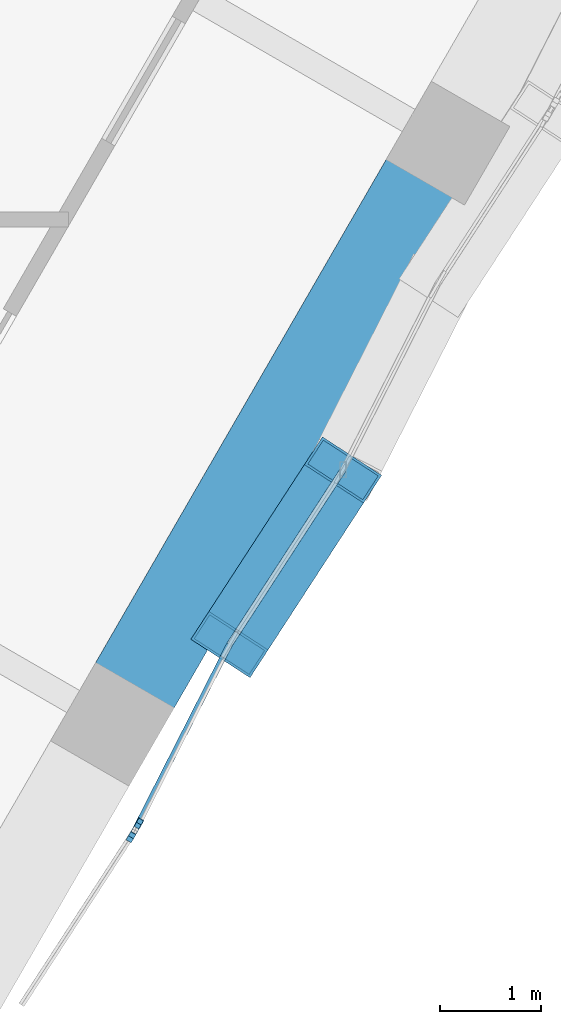
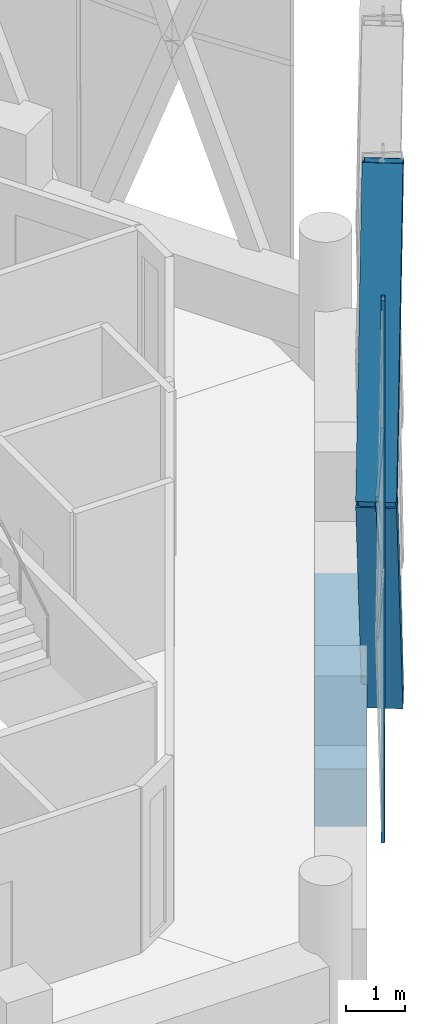
# One storey, part 7 of 18: 6 members, 1 beam, 2 elements without a shape of their own.
"""IFC4 building model written with IfcOpenShell, lengths in metres."""

from ifc_helpers import new_model, si_unit, direction, frame, origin, origin_2d, place, context, subcontext, project, spatial, rectangle, hollow_rectangle, extrude, material, material_profile, profile_set, type_object, element, aggregate, save


model = new_model("IFC4")

# Units and contexts
model_context = context("Model", 3, precision=1e-05, world=origin(), true_north=direction((0.0, 1.0)))
body_context = subcontext(model_context, "Body", "Model", "MODEL_VIEW")
ifc_project = project(units=[si_unit("LENGTHUNIT", "METRE"), si_unit("AREAUNIT", "SQUARE_METRE"), si_unit("VOLUMEUNIT", "CUBIC_METRE"), si_unit("PLANEANGLEUNIT", "RADIAN"), si_unit("MASSUNIT", "GRAM", prefix="KILO")], contexts=[model_context])

# Site, building, storey
site_placement = place(None, origin())
site = spatial("IfcSite", under=ifc_project, at=site_placement, CompositionType="ELEMENT")
building_placement = place(site_placement, origin())
building = spatial("IfcBuilding", under=site, at=building_placement, Name="Ostrander Bayou Hotel Tower", CompositionType="ELEMENT")
storey_placement = place(building_placement, frame((0.0, 0.0, 214.5)))
storey = spatial("IfcBuildingStorey", under=building, at=storey_placement, Name="L53", CompositionType="ELEMENT", Elevation=214.5)

# Curtain wall, members
ifc_material_1 = material(Name="Aluminium and clear glass", Category="aluminium")
curtain_wall_type = type_object("IfcCurtainWallType", Name="CW-LAT lattice glazing", PredefinedType="NOTDEFINED", material=ifc_material_1)
curtain_wall_1_placement = place(storey_placement, origin())
curtain_wall_1 = element("IfcCurtainWall", 1, at=curtain_wall_1_placement, inside=storey, type_object=curtain_wall_type, Name="CW-LAT L53 SE 1", PredefinedType="NOTDEFINED")
ifc_material_2 = material(Name="Aluminium", Category="aluminium")
ifc_material_profile_1 = material_profile(ifc_material_2, hollow_rectangle(XDim=0.06005859375, YDim=0.159912109375, WallThickness=0.00390625, at=origin_2d()))
ifc_profile_set_1 = profile_set([ifc_material_profile_1], Name="Aluminium")
member_type_1 = type_object("IfcMemberType", Name="CW-LA mullion 60 x 160 mm", PredefinedType="MULLION", material=ifc_profile_set_1)
member_1_placement = place(storey_placement, frame((13.1279296875, -12.401611328125, -0.60009765625), z_axis=(0.004209921548, 0.007248009263, 0.999964870844), x_axis=(-0.864716406097, 0.502260427494, 0.0)))
member_1 = element("IfcMember", 2, at=member_1_placement, type_object=member_type_1, Name="CW-LAT mullion 1", PredefinedType="MULLION", context=body_context, shape_type="SweptSolid", body=[
    extrude(hollow_rectangle(XDim=0.06005859375, YDim=0.159912109375, WallThickness=0.00390625, at=origin_2d()), origin(), (0.0, 0.0, 1.0), 5.625244140625),
])
member_2_placement = place(storey_placement, frame((13.151611328125, -12.36083984375, 5.02490234375), z_axis=(0.00420992022, 0.007291408216, 0.999964555341), x_axis=(-0.866013897511, 0.50001992892, 0.0)))
member_2 = element("IfcMember", 3, at=member_2_placement, type_object=member_type_1, Name="CW-LAT mullion 2", PredefinedType="MULLION", context=body_context, shape_type="SweptSolid", body=[
    extrude(hollow_rectangle(XDim=0.06005859375, YDim=0.159912109375, WallThickness=0.00390625, at=origin_2d()), origin(), (0.0, 0.0, 1.0), 5.625244140625),
])
aggregate(curtain_wall_1, [member_1, member_2])

curtain_wall_2_placement = place(storey_placement, origin())
curtain_wall_2 = element("IfcCurtainWall", 4, at=curtain_wall_2_placement, inside=storey, type_object=curtain_wall_type, Name="CW-LAT L53 SE 2", PredefinedType="NOTDEFINED")
ifc_material_3 = material(Name="Aluminium", Category="aluminium")
ifc_material_profile_2 = material_profile(ifc_material_3, hollow_rectangle(XDim=0.06005859375, YDim=0.1201171875, WallThickness=0.00390625, at=origin_2d()))
ifc_profile_set_2 = profile_set([ifc_material_profile_2], Name="Aluminium")
member_type_2 = type_object("IfcMemberType", Name="CW-LA transom 60 x 120 mm", PredefinedType="USERDEFINED", material=ifc_profile_set_2)
member_3_placement = place(storey_placement, frame((13.151611328125, -12.36083984375, 5.02490234375), z_axis=(0.45348522251, 0.891263795386, 0.0), x_axis=(-0.891263795386, 0.45348522251, 0.0)))
member_3 = element("IfcMember", 5, at=member_3_placement, type_object=member_type_2, Name="CW-LAT transom 4", ObjectType="TRANSOM", PredefinedType="USERDEFINED", context=body_context, shape_type="SweptSolid", body=[
    extrude(hollow_rectangle(XDim=0.06005859375, YDim=0.1201171875, WallThickness=0.00390625, at=origin_2d()), origin(), (0.0, 0.0, 1.0), 2.0673828125),
])
member_4_placement = place(storey_placement, frame((15.216064453125, -8.784912109375, 5.02490234375), z_axis=(-0.545071358856, -0.838389655086, 0.0), x_axis=(0.838389655086, -0.545071358856, 0.0)))
member_4 = element("IfcMember", 6, at=member_4_placement, type_object=member_type_2, Name="CW-LAT transom 7", ObjectType="TRANSOM", PredefinedType="USERDEFINED", context=body_context, shape_type="SweptSolid", body=[
    extrude(hollow_rectangle(XDim=0.06005859375, YDim=0.1201171875, WallThickness=0.00390625, at=origin_2d()), origin(), (0.0, 0.0, 1.0), 2.067626953125),
])
aggregate(curtain_wall_2, [member_3, member_4])

# Members
ifc_material_4 = material(Name="Steel ASTM A572 Gr 50", Category="steel")
ifc_material_profile_3 = material_profile(ifc_material_4, hollow_rectangle(XDim=0.699951171875, YDim=0.35009765625, WallThickness=0.02490234375, at=origin_2d()))
ifc_profile_set_3 = profile_set([ifc_material_profile_3], Name="Steel ASTM A572 Gr 50")
member_type_3 = type_object("IfcMemberType", Name="LT1 lattice member box 700 x 350 x 25 mm", PredefinedType="BRACE", material=ifc_profile_set_3)
for number, where, z_axis, x_axis, name in (
    (7, (14.089111328125, -10.518310546875, 5.02490234375), (0.188046818947, 0.289240124464, -0.938604572908), (-0.838389655086, 0.545071358856, 0.0), "LT1 L53 SE 1"),
    (8, (14.089111328125, -10.518310546875, 5.02490234375), (0.188046818947, 0.289240124464, 0.938604572908), (-0.838389655086, 0.545071358856, 0.0), "LT1 L53 SE 2"),
):
    element("IfcMember", number, at=place(storey_placement, frame(where, z_axis=z_axis, x_axis=x_axis)), inside=storey, type_object=member_type_3, Name=name, PredefinedType="BRACE", context=body_context, shape_type="SweptSolid", body=[
        extrude(hollow_rectangle(XDim=0.699951171875, YDim=0.35009765625, WallThickness=0.02490234375, at=origin_2d()), origin(), (0.0, 0.0, 1.0), 5.992919921875),
    ])

# Beam
ifc_material_5 = material(Name="Concrete f'c 60 MPa", Category="concrete")
ifc_material_profile_4 = material_profile(ifc_material_5, rectangle(XDim=0.89990234375, YDim=1.199951171875, at=origin_2d()))
ifc_profile_set_4 = profile_set([ifc_material_profile_4], Name="Concrete f'c 60 MPa")
beam_type = type_object("IfcBeamType", Name="SP4 spandrel beam 900 x 1200 mm f'c 60 MPa", PredefinedType="SPANDREL", material=ifc_profile_set_4)
beam_placement = place(storey_placement, frame((13.1376953125, -10.944580078125, -0.60009765625), z_axis=(0.500015433515, 0.866016493057, 0.0), x_axis=(-0.866016493057, 0.500015433515, 0.0)))
element("IfcBeam", 9, at=beam_placement, inside=storey, type_object=beam_type, Name="SP4 L53 SE-2", PredefinedType="SPANDREL", context=body_context, shape_type="SweptSolid", body=[
    extrude(rectangle(XDim=0.89990234375, YDim=1.199951171875, at=origin_2d()), origin(), (0.0, 0.0, 1.0), 5.818603515625),
])

save(model, "model.ifc")
